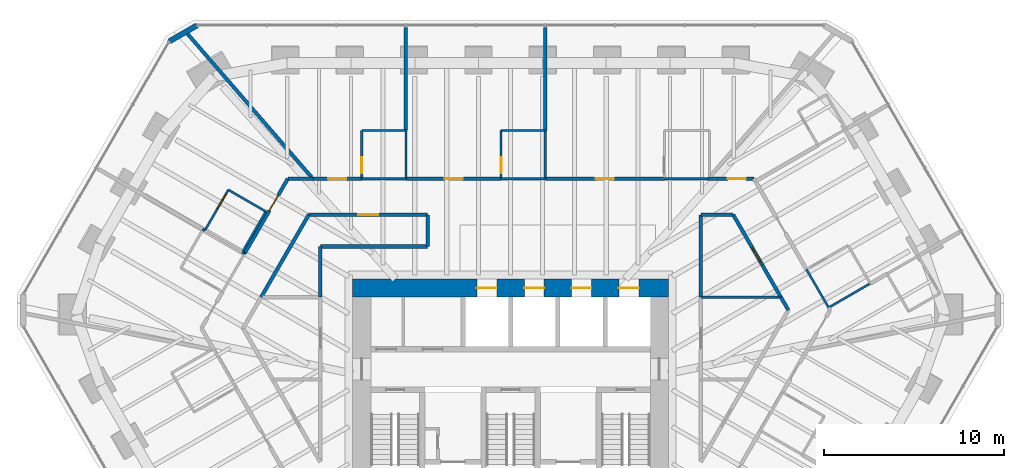
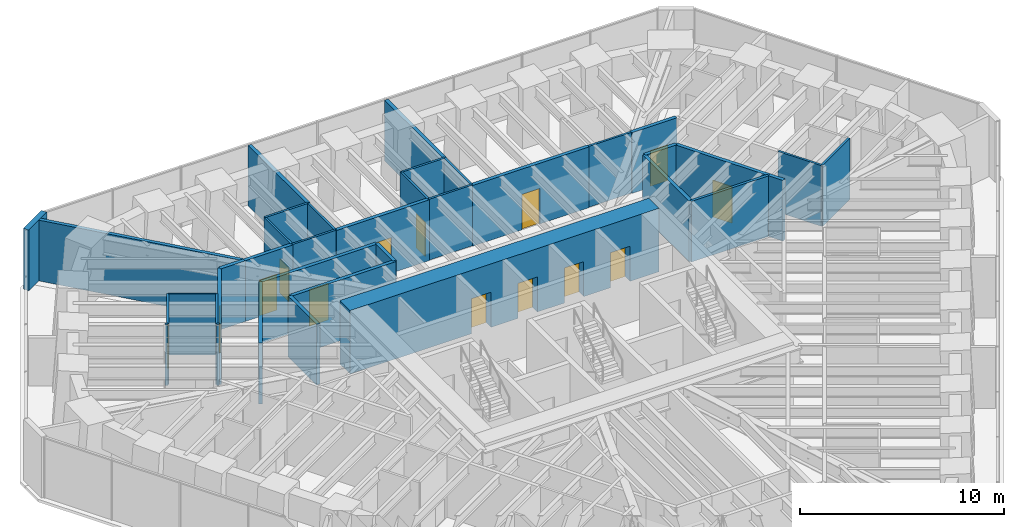
# One storey, part 14 of 16: 37 walls, 14 doors, 14 openings.
"""IFC4 building model written with IfcOpenShell, lengths in metres."""

from ifc_helpers import new_model, si_unit, direction, frame, frame_2d, origin, place, context, subcontext, project, spatial, rectangle, extrude, material, layer, layer_set, type_object, element, fill, save


model = new_model("IFC4")

# Units and contexts
model_context = context("Model", 3, precision=1e-05, world=origin(), true_north=direction((0.0, 1.0)))
body_context = subcontext(model_context, "Body", "Model", "MODEL_VIEW")
ifc_project = project(units=[si_unit("LENGTHUNIT", "METRE"), si_unit("AREAUNIT", "SQUARE_METRE"), si_unit("VOLUMEUNIT", "CUBIC_METRE"), si_unit("PLANEANGLEUNIT", "RADIAN"), si_unit("MASSUNIT", "GRAM", prefix="KILO")], contexts=[model_context])

# Site, building, storey
site_placement = place(None, origin())
site = spatial("IfcSite", under=ifc_project, at=site_placement, CompositionType="ELEMENT")
building_placement = place(site_placement, origin())
building = spatial("IfcBuilding", under=site, at=building_placement, Name="Sandreach Pilgrim Tower", CompositionType="ELEMENT")
storey_placement = place(building_placement, frame((0.0, 0.0, 244.0)))
storey = spatial("IfcBuildingStorey", under=building, at=storey_placement, Name="L61", CompositionType="ELEMENT", Elevation=244.0)

# Walls
ifc_material_1 = material(Name="Gypsum board on steel studs", Category="steel")
ifc_layer_1 = layer(ifc_material_1, 0.14990234375)
ifc_layer_set_1 = layer_set([ifc_layer_1], Name="Back of house wall 150")
wall_type_1 = type_object("IfcWallType", Name="Back of house wall 150", PredefinedType="PARTITIONING", material=ifc_layer_set_1)
wall_1_placement = place(storey_placement, frame((14.93505859375, 6.090087890625, 0.0), z_axis=(0.0, 0.0, 1.0), x_axis=(-1.0, 0.0, 0.0)))
element("IfcWall", 1, at=wall_1_placement, inside=storey, type_object=wall_type_1, Name="Back of house wall L61-119", PredefinedType="PARTITIONING", context=body_context, shape_type="SweptSolid", body=[
    extrude(rectangle(XDim=4.385009765625, YDim=0.14990234375, at=frame_2d((2.1923828125, 0.0))), origin(), (0.0, 0.0, 1.0), 3.639892578125),
])
ifc_material_2 = material(Name="Moisture-resistant gypsum board on steel studs", Category="steel")
ifc_layer_2 = layer(ifc_material_2, 0.1201171875)
ifc_layer_set_2 = layer_set([ifc_layer_2], Name="Bathroom partition 120")
wall_type_2 = type_object("IfcWallType", Name="Bathroom partition 120", PredefinedType="PARTITIONING", material=ifc_layer_set_2)
wall_2_placement = place(storey_placement, frame((-17.06005859375, 9.85009765625, 0.0), z_axis=(0.0, 0.0, 1.0), x_axis=(0.864625231999, -0.50241736454, 0.0)))
element("IfcWall", 2, at=wall_2_placement, inside=storey, type_object=wall_type_2, Name="Bathroom partition L61-010", PredefinedType="PARTITIONING", context=body_context, shape_type="SweptSolid", body=[
    extrude(rectangle(XDim=0.12548828125, YDim=0.1201171875, at=frame_2d((0.062744140625, 0.0))), origin(), (0.0, 0.0, 1.0), 3.639892578125),
])

# Wall, opening, door
wall_3_placement = place(storey_placement, frame((-15.64990234375, 12.0400390625, 0.0), z_axis=(0.0, 0.0, 1.0), x_axis=(-0.500291685314, -0.865856933682, 0.0)))
wall_3 = element("IfcWall", 3, at=wall_3_placement, inside=storey, type_object=wall_type_2, Name="Bathroom partition L61-014", PredefinedType="PARTITIONING", context=body_context, shape_type="SweptSolid", body=[
    extrude(rectangle(XDim=2.5986328125, YDim=0.1201171875, at=frame_2d((1.29931640625, 0.0))), origin(), (0.0, 0.0, 1.0), 3.639892578125),
])
opening_1_placement = place(wall_3_placement, frame((0.300048828125, 0.0, 0.0)))
opening_1 = element("IfcOpeningElement", 4, at=opening_1_placement, cuts=wall_3, Name="Opening D09-17B", PredefinedType="OPENING", context=body_context, shape_type="SweptSolid", body=[
    extrude(rectangle(XDim=0.89990234375, YDim=2.030029296875, at=frame_2d((0.449951171875, 1.01513671875))), frame((0.0, 0.06005859375, 0.0), z_axis=(0.0, -1.0, 0.0), x_axis=(1.0, 0.0, 0.0)), (0.0, 0.0, 1.0), 0.1201171875),
])
ifc_material_3 = material(Name="Timber door, steel frame", Category="steel")
door_type_1 = type_object("IfcDoorType", Name="Bathroom door", OperationType="SINGLE_SWING_LEFT", PredefinedType="DOOR", material=ifc_material_3)
door_1_placement = place(opening_1_placement, origin())
door_1 = element("IfcDoor", 5, at=door_1_placement, inside=storey, type_object=door_type_1, Name="Door 6117B", OperationType="SINGLE_SWING_LEFT", OverallHeight=2.030029296875, OverallWidth=0.89990234375, PredefinedType="DOOR", context=body_context, shape_type="SweptSolid", body=[
    extrude(rectangle(XDim=0.89990234375, YDim=2.030029296875, at=frame_2d((0.449951171875, 1.01513671875))), frame((0.0, 0.02490234375, 0.0), z_axis=(0.0, -1.0, 0.0), x_axis=(1.0, 0.0, 0.0)), (0.0, 0.0, 1.0), 0.050048828125),
])
fill(opening_1, door_1)

# Walls
wall_4_placement = place(storey_placement, frame((-14.87451171875, 8.582275390625, 0.0), z_axis=(0.0, 0.0, 1.0), x_axis=(0.864883951565, -0.501971862085, 0.0)))
element("IfcWall", 6, at=wall_4_placement, inside=storey, type_object=wall_type_2, Name="Bathroom partition L61-017", PredefinedType="PARTITIONING", context=body_context, shape_type="SweptSolid", body=[
    extrude(rectangle(XDim=0.14404296875, YDim=0.1201171875, at=frame_2d((0.072021484375, 0.0))), origin(), (0.0, 0.0, 1.0), 3.639892578125),
])
wall_5_placement = place(storey_placement, frame((-14.8701171875, 8.590087890625, 0.0), z_axis=(0.0, 0.0, 1.0), x_axis=(0.500291685314, 0.865856933682, 0.0)))
element("IfcWall", 7, at=wall_5_placement, inside=storey, type_object=wall_type_2, Name="Bathroom partition L61-018", PredefinedType="PARTITIONING", context=body_context, shape_type="SweptSolid", body=[
    extrude(rectangle(XDim=2.5986328125, YDim=0.1201171875, at=frame_2d((1.29931640625, 0.0))), origin(), (0.0, 0.0, 1.0), 3.639892578125),
])
wall_6_placement = place(storey_placement, frame((-13.570068359375, 10.840087890625, 0.0), z_axis=(0.0, 0.0, 1.0), x_axis=(-0.866177122335, 0.499737123639, 0.0)))
element("IfcWall", 8, at=wall_6_placement, inside=storey, type_object=wall_type_2, Name="Bathroom partition L61-026", PredefinedType="PARTITIONING", context=body_context, shape_type="SweptSolid", body=[
    extrude(rectangle(XDim=2.401123046875, YDim=0.1201171875, at=frame_2d((1.20068359375, 0.0))), origin(), (0.0, 0.0, 1.0), 3.639892578125),
])

# Wall, opening, door
wall_7_placement = place(storey_placement, frame((-8.25, 15.330078125, 0.0), z_axis=(0.0, 0.0, 1.0), x_axis=(0.0, -1.0, 0.0)))
wall_7 = element("IfcWall", 9, at=wall_7_placement, inside=storey, type_object=wall_type_2, Name="Bathroom partition L61-044", PredefinedType="PARTITIONING", context=body_context, shape_type="SweptSolid", body=[
    extrude(rectangle(XDim=2.670166015625, YDim=0.1201171875, at=frame_2d((1.3349609375, 0.0))), origin(), (0.0, 0.0, 1.0), 3.639892578125),
])
opening_2_placement = place(wall_7_placement, frame((1.469970703125, 0.0, 0.0)))
opening_2 = element("IfcOpeningElement", 10, at=opening_2_placement, cuts=wall_7, Name="Opening D09-01B", PredefinedType="OPENING", context=body_context, shape_type="SweptSolid", body=[
    extrude(rectangle(XDim=0.89990234375, YDim=2.030029296875, at=frame_2d((0.449951171875, 1.01513671875))), frame((0.0, 0.06005859375, 0.0), z_axis=(0.0, -1.0, 0.0), x_axis=(1.0, 0.0, 0.0)), (0.0, 0.0, 1.0), 0.1201171875),
])
door_2_placement = place(opening_2_placement, origin())
door_2 = element("IfcDoor", 11, at=door_2_placement, inside=storey, type_object=door_type_1, Name="Door 6101B", OperationType="SINGLE_SWING_RIGHT", OverallHeight=2.030029296875, OverallWidth=0.89990234375, PredefinedType="DOOR", context=body_context, shape_type="SweptSolid", body=[
    extrude(rectangle(XDim=0.89990234375, YDim=2.030029296875, at=frame_2d((0.449951171875, 1.01513671875))), frame((0.0, 0.02490234375, 0.0), z_axis=(0.0, -1.0, 0.0), x_axis=(1.0, 0.0, 0.0)), (0.0, 0.0, 1.0), 0.050048828125),
])
fill(opening_2, door_2)

# Walls
for number, where, z_axis, x_axis, name in (
    (12, (-5.800048828125, 12.659912109375, 0.0), (0.0, 0.0, 1.0), (-1.0, 0.0, 0.0), "Bathroom partition L61-049"),
    (13, (-5.800048828125, 15.330078125, 0.0), (0.0, 0.0, 1.0), (-1.0, 0.0, 0.0), "Bathroom partition L61-050"),
):
    element("IfcWall", number, at=place(storey_placement, frame(where, z_axis=z_axis, x_axis=x_axis)), inside=storey, type_object=wall_type_2, Name=name, PredefinedType="PARTITIONING", context=body_context, shape_type="SweptSolid", body=[
        extrude(rectangle(XDim=2.449951171875, YDim=0.1201171875, at=frame_2d((1.22509765625, 0.0))), origin(), (0.0, 0.0, 1.0), 3.639892578125),
    ])
wall_8_placement = place(storey_placement, frame((-5.800048828125, 15.330078125, 0.0), z_axis=(0.0, 0.0, 1.0), x_axis=(0.0, -1.0, 0.0)))
element("IfcWall", 14, at=wall_8_placement, inside=storey, type_object=wall_type_2, Name="Bathroom partition L61-051", PredefinedType="PARTITIONING", context=body_context, shape_type="SweptSolid", body=[
    extrude(rectangle(XDim=2.670166015625, YDim=0.1201171875, at=frame_2d((1.3349609375, 0.0))), origin(), (0.0, 0.0, 1.0), 3.639892578125),
])

# Wall, opening, door
wall_9_placement = place(storey_placement, frame((-0.52001953125, 15.330078125, 0.0), z_axis=(0.0, 0.0, 1.0), x_axis=(0.0, -1.0, 0.0)))
wall_9 = element("IfcWall", 15, at=wall_9_placement, inside=storey, type_object=wall_type_2, Name="Bathroom partition L61-072", PredefinedType="PARTITIONING", context=body_context, shape_type="SweptSolid", body=[
    extrude(rectangle(XDim=2.670166015625, YDim=0.1201171875, at=frame_2d((1.3349609375, 0.0))), origin(), (0.0, 0.0, 1.0), 3.639892578125),
])
opening_3_placement = place(wall_9_placement, frame((1.469970703125, 0.0, 0.0)))
opening_3 = element("IfcOpeningElement", 16, at=opening_3_placement, cuts=wall_9, Name="Opening D09-02B", PredefinedType="OPENING", context=body_context, shape_type="SweptSolid", body=[
    extrude(rectangle(XDim=0.89990234375, YDim=2.030029296875, at=frame_2d((0.449951171875, 1.01513671875))), frame((0.0, 0.06005859375, 0.0), z_axis=(0.0, -1.0, 0.0), x_axis=(1.0, 0.0, 0.0)), (0.0, 0.0, 1.0), 0.1201171875),
])
door_3_placement = place(opening_3_placement, origin())
door_3 = element("IfcDoor", 17, at=door_3_placement, inside=storey, type_object=door_type_1, Name="Door 6102B", OperationType="SINGLE_SWING_RIGHT", OverallHeight=2.030029296875, OverallWidth=0.89990234375, PredefinedType="DOOR", context=body_context, shape_type="SweptSolid", body=[
    extrude(rectangle(XDim=0.89990234375, YDim=2.030029296875, at=frame_2d((0.449951171875, 1.01513671875))), frame((0.0, 0.02490234375, 0.0), z_axis=(0.0, -1.0, 0.0), x_axis=(1.0, 0.0, 0.0)), (0.0, 0.0, 1.0), 0.050048828125),
])
fill(opening_3, door_3)

# Walls
for number, where, z_axis, x_axis, name in (
    (18, (1.929931640625, 12.659912109375, 0.0), (0.0, 0.0, 1.0), (-1.0, 0.0, 0.0), "Bathroom partition L61-075"),
    (19, (1.929931640625, 15.330078125, 0.0), (0.0, 0.0, 1.0), (-1.0, 0.0, 0.0), "Bathroom partition L61-076"),
):
    element("IfcWall", number, at=place(storey_placement, frame(where, z_axis=z_axis, x_axis=x_axis)), inside=storey, type_object=wall_type_2, Name=name, PredefinedType="PARTITIONING", context=body_context, shape_type="SweptSolid", body=[
        extrude(rectangle(XDim=2.449951171875, YDim=0.1201171875, at=frame_2d((1.22509765625, 0.0))), origin(), (0.0, 0.0, 1.0), 3.639892578125),
    ])
wall_10_placement = place(storey_placement, frame((1.929931640625, 15.330078125, 0.0), z_axis=(0.0, 0.0, 1.0), x_axis=(0.0, -1.0, 0.0)))
element("IfcWall", 20, at=wall_10_placement, inside=storey, type_object=wall_type_2, Name="Bathroom partition L61-077", PredefinedType="PARTITIONING", context=body_context, shape_type="SweptSolid", body=[
    extrude(rectangle(XDim=2.670166015625, YDim=0.1201171875, at=frame_2d((1.3349609375, 0.0))), origin(), (0.0, 0.0, 1.0), 3.639892578125),
])
wall_11_placement = place(storey_placement, frame((10.9599609375, 12.659912109375, 0.0), z_axis=(0.0, 0.0, 1.0), x_axis=(-1.0, 0.0, 0.0)))
element("IfcWall", 21, at=wall_11_placement, inside=storey, type_object=wall_type_2, Name="Bathroom partition L61-104", PredefinedType="PARTITIONING", context=body_context, shape_type="SweptSolid", body=[
    extrude(rectangle(XDim=2.429931640625, YDim=0.1201171875, at=frame_2d((1.21484375, 0.0))), origin(), (0.0, 0.0, 1.0), 3.639892578125),
])
wall_12_placement = place(storey_placement, frame((16.409912109375, 7.6298828125, 0.0), z_axis=(0.0, 0.0, 1.0), x_axis=(0.501856726365, -0.86495076519, 0.0)))
element("IfcWall", 22, at=wall_12_placement, inside=storey, type_object=wall_type_2, Name="Bathroom partition L61-127", PredefinedType="PARTITIONING", context=body_context, shape_type="SweptSolid", body=[
    extrude(rectangle(XDim=2.450927734375, YDim=0.1201171875, at=frame_2d((1.2255859375, 0.0))), origin(), (0.0, 0.0, 1.0), 3.639892578125),
])
wall_13_placement = place(storey_placement, frame((17.639892578125, 5.510009765625, 0.0), z_axis=(0.0, 0.0, 1.0), x_axis=(0.86498992408, 0.501789229896, 0.0)))
element("IfcWall", 23, at=wall_13_placement, inside=storey, type_object=wall_type_2, Name="Bathroom partition L61-132", PredefinedType="PARTITIONING", context=body_context, shape_type="SweptSolid", body=[
    extrude(rectangle(XDim=2.670654296875, YDim=0.1201171875, at=frame_2d((1.33544921875, 0.0))), origin(), (0.0, 0.0, 1.0), 3.639892578125),
])

# Wall, openings, doors
ifc_material_4 = material(Name="Concrete 10000 psi", Category="concrete")
ifc_layer_3 = layer(ifc_material_4, 1.0)
ifc_layer_set_3 = layer_set([ifc_layer_3], Name="Core wall 1000")
wall_type_3 = type_object("IfcWallType", Name="Core wall 1000", PredefinedType="SHEAR", material=ifc_layer_set_3)
wall_14_placement = place(storey_placement, frame((-8.75, 6.60009765625, 0.0), z_axis=(0.0, 0.0, 1.0), x_axis=(1.0, 0.0, 0.0)))
wall_14 = element("IfcWall", 24, at=wall_14_placement, inside=storey, type_object=wall_type_3, Name="Core wall N L61", PredefinedType="SHEAR", context=body_context, shape_type="SweptSolid", body=[
    extrude(rectangle(XDim=17.5, YDim=1.0, at=frame_2d((8.75, 0.0))), origin(), (0.0, 0.0, 1.0), 3.800048828125),
])
opening_4_placement = place(wall_14_placement, frame((6.887451171875, 0.0, 0.0)))
opening_4 = element("IfcOpeningElement", 25, at=opening_4_placement, cuts=wall_14, Name="Opening LD11", PredefinedType="OPENING", context=body_context, shape_type="SweptSolid", body=[
    extrude(rectangle(XDim=1.10009765625, YDim=2.10009765625, at=frame_2d((0.550048828125, 1.050048828125))), frame((0.0, 0.5, 0.0), z_axis=(0.0, -1.0, 0.0), x_axis=(1.0, 0.0, 0.0)), (0.0, 0.0, 1.0), 1.0),
])
opening_5_placement = place(wall_14_placement, frame((9.512451171875, 0.0, 0.0)))
opening_5 = element("IfcOpeningElement", 26, at=opening_5_placement, cuts=wall_14, Name="Opening LD11", PredefinedType="OPENING", context=body_context, shape_type="SweptSolid", body=[
    extrude(rectangle(XDim=1.10009765625, YDim=2.10009765625, at=frame_2d((0.550048828125, 1.050048828125))), frame((0.0, 0.5, 0.0), z_axis=(0.0, -1.0, 0.0), x_axis=(1.0, 0.0, 0.0)), (0.0, 0.0, 1.0), 1.0),
])
opening_6_placement = place(wall_14_placement, frame((12.137451171875, 0.0, 0.0)))
opening_6 = element("IfcOpeningElement", 27, at=opening_6_placement, cuts=wall_14, Name="Opening LD11", PredefinedType="OPENING", context=body_context, shape_type="SweptSolid", body=[
    extrude(rectangle(XDim=1.10009765625, YDim=2.10009765625, at=frame_2d((0.550048828125, 1.050048828125))), frame((0.0, 0.5, 0.0), z_axis=(0.0, -1.0, 0.0), x_axis=(1.0, 0.0, 0.0)), (0.0, 0.0, 1.0), 1.0),
])
opening_7_placement = place(wall_14_placement, frame((14.762451171875, 0.0, 0.0)))
opening_7 = element("IfcOpeningElement", 28, at=opening_7_placement, cuts=wall_14, Name="Opening LD11", PredefinedType="OPENING", context=body_context, shape_type="SweptSolid", body=[
    extrude(rectangle(XDim=1.10009765625, YDim=2.10009765625, at=frame_2d((0.550048828125, 1.050048828125))), frame((0.0, 0.5, 0.0), z_axis=(0.0, -1.0, 0.0), x_axis=(1.0, 0.0, 0.0)), (0.0, 0.0, 1.0), 1.0),
])
ifc_material_5 = material(Name="Steel door and frame", Category="steel")
door_type_2 = type_object("IfcDoorType", Name="Lift landing door", OperationType="DOUBLE_DOOR_SLIDING", PredefinedType="DOOR", material=ifc_material_5)
door_4_placement = place(opening_4_placement, origin())
door_4 = element("IfcDoor", 29, at=door_4_placement, inside=storey, type_object=door_type_2, Name="Lift landing door Z3A L61", OperationType="DOUBLE_DOOR_SLIDING", OverallHeight=2.10009765625, OverallWidth=1.10009765625, PredefinedType="DOOR", context=body_context, shape_type="SweptSolid", body=[
    extrude(rectangle(XDim=1.10009765625, YDim=2.10009765625, at=frame_2d((0.550048828125, 1.050048828125))), frame((0.0, 0.02490234375, 0.0), z_axis=(0.0, -1.0, 0.0), x_axis=(1.0, 0.0, 0.0)), (0.0, 0.0, 1.0), 0.050048828125),
])
fill(opening_4, door_4)
door_5_placement = place(opening_5_placement, origin())
door_5 = element("IfcDoor", 30, at=door_5_placement, inside=storey, type_object=door_type_2, Name="Lift landing door Z3B L61", OperationType="DOUBLE_DOOR_SLIDING", OverallHeight=2.10009765625, OverallWidth=1.10009765625, PredefinedType="DOOR", context=body_context, shape_type="SweptSolid", body=[
    extrude(rectangle(XDim=1.10009765625, YDim=2.10009765625, at=frame_2d((0.550048828125, 1.050048828125))), frame((0.0, 0.02490234375, 0.0), z_axis=(0.0, -1.0, 0.0), x_axis=(1.0, 0.0, 0.0)), (0.0, 0.0, 1.0), 0.050048828125),
])
fill(opening_5, door_5)
door_6_placement = place(opening_6_placement, origin())
door_6 = element("IfcDoor", 31, at=door_6_placement, inside=storey, type_object=door_type_2, Name="Lift landing door Z3C L61", OperationType="DOUBLE_DOOR_SLIDING", OverallHeight=2.10009765625, OverallWidth=1.10009765625, PredefinedType="DOOR", context=body_context, shape_type="SweptSolid", body=[
    extrude(rectangle(XDim=1.10009765625, YDim=2.10009765625, at=frame_2d((0.550048828125, 1.050048828125))), frame((0.0, 0.02490234375, 0.0), z_axis=(0.0, -1.0, 0.0), x_axis=(1.0, 0.0, 0.0)), (0.0, 0.0, 1.0), 0.050048828125),
])
fill(opening_6, door_6)
door_7_placement = place(opening_7_placement, origin())
door_7 = element("IfcDoor", 32, at=door_7_placement, inside=storey, type_object=door_type_2, Name="Lift landing door Z3D L61", OperationType="DOUBLE_DOOR_SLIDING", OverallHeight=2.10009765625, OverallWidth=1.10009765625, PredefinedType="DOOR", context=body_context, shape_type="SweptSolid", body=[
    extrude(rectangle(XDim=1.10009765625, YDim=2.10009765625, at=frame_2d((0.550048828125, 1.050048828125))), frame((0.0, 0.02490234375, 0.0), z_axis=(0.0, -1.0, 0.0), x_axis=(1.0, 0.0, 0.0)), (0.0, 0.0, 1.0), 0.050048828125),
])
fill(opening_7, door_7)

# Wall, opening, door
ifc_material_6 = material(Name="Gypsum board on steel studs, two layers each side", Category="steel")
ifc_layer_4 = layer(ifc_material_6, 0.199951171875)
ifc_layer_set_4 = layer_set([ifc_layer_4], Name="Corridor wall 200")
wall_type_4 = type_object("IfcWallType", Name="Corridor wall 200", PredefinedType="PARTITIONING", material=ifc_layer_set_4)
wall_15_placement = place(storey_placement, frame((-14.75, 8.510009765625, 0.0), z_axis=(0.0, 0.0, 1.0), x_axis=(0.500618647881, 0.86566793252, 0.0)))
wall_15 = element("IfcWall", 33, at=wall_15_placement, inside=storey, type_object=wall_type_4, Name="Corridor wall L61-020", PredefinedType="PARTITIONING", context=body_context, shape_type="SweptSolid", body=[
    extrude(rectangle(XDim=4.7939453125, YDim=0.199951171875, at=frame_2d((2.39697265625, 0.0))), origin(), (0.0, 0.0, 1.0), 3.639892578125),
])
opening_8_placement = place(wall_15_placement, frame((2.75, 0.0, 0.0)))
opening_8 = element("IfcOpeningElement", 34, at=opening_8_placement, cuts=wall_15, Name="Opening D10-17", PredefinedType="OPENING", context=body_context, shape_type="SweptSolid", body=[
    extrude(rectangle(XDim=1.0, YDim=2.1298828125, at=frame_2d((0.5, 1.06494140625))), frame((0.0, 0.10009765625, 0.0), z_axis=(0.0, -1.0, 0.0), x_axis=(1.0, 0.0, 0.0)), (0.0, 0.0, 1.0), 0.199951171875),
])
ifc_material_7 = material(Name="Steel door and frame", Category="steel")
door_type_3 = type_object("IfcDoorType", Name="Guest room entry door", OperationType="SINGLE_SWING_LEFT", PredefinedType="DOOR", material=ifc_material_7)
door_8_placement = place(opening_8_placement, origin())
door_8 = element("IfcDoor", 35, at=door_8_placement, inside=storey, type_object=door_type_3, Name="Door 6117", OperationType="SINGLE_SWING_RIGHT", OverallHeight=2.1298828125, OverallWidth=1.0, PredefinedType="DOOR", context=body_context, shape_type="SweptSolid", body=[
    extrude(rectangle(XDim=1.0, YDim=2.1298828125, at=frame_2d((0.5, 1.06494140625))), frame((0.0, 0.02490234375, 0.0), z_axis=(0.0, -1.0, 0.0), x_axis=(1.0, 0.0, 0.0)), (0.0, 0.0, 1.0), 0.050048828125),
])
fill(opening_8, door_8)

# Wall
wall_16_placement = place(storey_placement, frame((-13.830078125, 6.090087890625, 0.0), z_axis=(0.0, 0.0, 1.0), x_axis=(0.500248310865, 0.865881993967, 0.0)))
element("IfcWall", 36, at=wall_16_placement, inside=storey, type_object=wall_type_4, Name="Corridor wall L61-024", PredefinedType="PARTITIONING", context=body_context, shape_type="SweptSolid", body=[
    extrude(rectangle(XDim=5.277587890625, YDim=0.199951171875, at=frame_2d((2.638671875, 0.0))), origin(), (0.0, 0.0, 1.0), 3.639892578125),
])

# Wall, opening, door
wall_17_placement = place(storey_placement, frame((-11.18994140625, 10.659912109375, 0.0), z_axis=(0.0, 0.0, 1.0), x_axis=(1.0, 0.0, 0.0)))
wall_17 = element("IfcWall", 37, at=wall_17_placement, inside=storey, type_object=wall_type_4, Name="Corridor wall L61-030", PredefinedType="PARTITIONING", context=body_context, shape_type="SweptSolid", body=[
    extrude(rectangle(XDim=6.58984375, YDim=0.199951171875, at=frame_2d((3.294921875, 0.0))), origin(), (0.0, 0.0, 1.0), 3.639892578125),
])
opening_9_placement = place(wall_17_placement, frame((2.7451171875, 0.0, 0.0)))
opening_9 = element("IfcOpeningElement", 38, at=opening_9_placement, cuts=wall_17, Name="Opening D11H-M03", PredefinedType="OPENING", context=body_context, shape_type="SweptSolid", body=[
    extrude(rectangle(XDim=1.10009765625, YDim=2.199951171875, at=frame_2d((0.550048828125, 1.10009765625))), frame((0.0, 0.10009765625, 0.0), z_axis=(0.0, -1.0, 0.0), x_axis=(1.0, 0.0, 0.0)), (0.0, 0.0, 1.0), 0.199951171875),
])
ifc_material_8 = material(Name="Steel door and frame", Category="steel")
door_type_4 = type_object("IfcDoorType", Name="Back of house door", OperationType="SINGLE_SWING_LEFT", PredefinedType="DOOR", material=ifc_material_8)
door_9_placement = place(opening_9_placement, origin())
door_9 = element("IfcDoor", 39, at=door_9_placement, inside=storey, type_object=door_type_4, Name="Door 61M03", OperationType="SINGLE_SWING_LEFT", OverallHeight=2.199951171875, OverallWidth=1.10009765625, PredefinedType="DOOR", context=body_context, shape_type="SweptSolid", body=[
    extrude(rectangle(XDim=1.10009765625, YDim=2.199951171875, at=frame_2d((0.550048828125, 1.10009765625))), frame((0.0, 0.02490234375, 0.0), z_axis=(0.0, -1.0, 0.0), x_axis=(1.0, 0.0, 0.0)), (0.0, 0.0, 1.0), 0.050048828125),
])
fill(opening_9, door_9)

# Walls
wall_18_placement = place(storey_placement, frame((-10.9599609375, 12.659912109375, 0.0), z_axis=(0.0, 0.0, 1.0), x_axis=(-1.0, 0.0, 0.0)))
element("IfcWall", 40, at=wall_18_placement, inside=storey, type_object=wall_type_4, Name="Corridor wall L61-032", PredefinedType="PARTITIONING", context=body_context, shape_type="SweptSolid", body=[
    extrude(rectangle(XDim=1.39013671875, YDim=0.199951171875, at=frame_2d((0.695068359375, 0.0))), origin(), (0.0, 0.0, 1.0), 3.639892578125),
])
wall_19_placement = place(storey_placement, frame((-10.550048828125, 8.889892578125, 0.0), z_axis=(0.0, 0.0, 1.0), x_axis=(0.0, -1.0, 0.0)))
element("IfcWall", 41, at=wall_19_placement, inside=storey, type_object=wall_type_4, Name="Corridor wall L61-038", PredefinedType="PARTITIONING", context=body_context, shape_type="SweptSolid", body=[
    extrude(rectangle(XDim=2.7998046875, YDim=0.199951171875, at=frame_2d((1.39990234375, 0.0))), origin(), (0.0, 0.0, 1.0), 3.639892578125),
])

# Wall, opening, door
wall_20_placement = place(storey_placement, frame((-8.25, 12.659912109375, 0.0), z_axis=(0.0, 0.0, 1.0), x_axis=(-1.0, 0.0, 0.0)))
wall_20 = element("IfcWall", 42, at=wall_20_placement, inside=storey, type_object=wall_type_4, Name="Corridor wall L61-043", PredefinedType="PARTITIONING", context=body_context, shape_type="SweptSolid", body=[
    extrude(rectangle(XDim=2.7099609375, YDim=0.199951171875, at=frame_2d((1.35498046875, 0.0))), origin(), (0.0, 0.0, 1.0), 3.639892578125),
])
opening_10_placement = place(wall_20_placement, frame((0.85498046875, 0.0, 0.0)))
opening_10 = element("IfcOpeningElement", 43, at=opening_10_placement, cuts=wall_20, Name="Opening D10-01", PredefinedType="OPENING", context=body_context, shape_type="SweptSolid", body=[
    extrude(rectangle(XDim=1.0, YDim=2.1298828125, at=frame_2d((0.5, 1.06494140625))), frame((0.0, 0.10009765625, 0.0), z_axis=(0.0, -1.0, 0.0), x_axis=(1.0, 0.0, 0.0)), (0.0, 0.0, 1.0), 0.199951171875),
])
door_10_placement = place(opening_10_placement, origin())
door_10 = element("IfcDoor", 44, at=door_10_placement, inside=storey, type_object=door_type_3, Name="Door 6101", OperationType="SINGLE_SWING_LEFT", OverallHeight=2.1298828125, OverallWidth=1.0, PredefinedType="DOOR", context=body_context, shape_type="SweptSolid", body=[
    extrude(rectangle(XDim=1.0, YDim=2.1298828125, at=frame_2d((0.5, 1.06494140625))), frame((0.0, 0.02490234375, 0.0), z_axis=(0.0, -1.0, 0.0), x_axis=(1.0, 0.0, 0.0)), (0.0, 0.0, 1.0), 0.050048828125),
])
fill(opening_10, door_10)

# Walls
wall_21_placement = place(storey_placement, frame((-4.60009765625, 8.89990234375, 0.0), z_axis=(0.0, 0.0, 1.0), x_axis=(-1.0, 0.0, 0.0)))
element("IfcWall", 45, at=wall_21_placement, inside=storey, type_object=wall_type_4, Name="Corridor wall L61-054", PredefinedType="PARTITIONING", context=body_context, shape_type="SweptSolid", body=[
    extrude(rectangle(XDim=5.949951171875, YDim=0.199951171875, at=frame_2d((2.97509765625, 0.0))), origin(), (0.0, 0.0, 1.0), 3.639892578125),
])
wall_22_placement = place(storey_placement, frame((-4.60009765625, 10.64990234375, 0.0), z_axis=(0.0, 0.0, 1.0), x_axis=(0.0, -1.0, 0.0)))
element("IfcWall", 46, at=wall_22_placement, inside=storey, type_object=wall_type_4, Name="Corridor wall L61-055", PredefinedType="PARTITIONING", context=body_context, shape_type="SweptSolid", body=[
    extrude(rectangle(XDim=1.739990234375, YDim=0.199951171875, at=frame_2d((0.8701171875, 0.0))), origin(), (0.0, 0.0, 1.0), 3.639892578125),
])

# Wall, opening, door
wall_23_placement = place(storey_placement, frame((-0.52001953125, 12.659912109375, 0.0), z_axis=(0.0, 0.0, 1.0), x_axis=(-1.0, 0.0, 0.0)))
wall_23 = element("IfcWall", 47, at=wall_23_placement, inside=storey, type_object=wall_type_4, Name="Corridor wall L61-071", PredefinedType="PARTITIONING", context=body_context, shape_type="SweptSolid", body=[
    extrude(rectangle(XDim=5.280029296875, YDim=0.199951171875, at=frame_2d((2.64013671875, 0.0))), origin(), (0.0, 0.0, 1.0), 3.639892578125),
])
opening_11_placement = place(wall_23_placement, frame((2.139892578125, 0.0, 0.0)))
opening_11 = element("IfcOpeningElement", 48, at=opening_11_placement, cuts=wall_23, Name="Opening D10-02", PredefinedType="OPENING", context=body_context, shape_type="SweptSolid", body=[
    extrude(rectangle(XDim=1.0, YDim=2.1298828125, at=frame_2d((0.5, 1.06494140625))), frame((0.0, 0.10009765625, 0.0), z_axis=(0.0, -1.0, 0.0), x_axis=(1.0, 0.0, 0.0)), (0.0, 0.0, 1.0), 0.199951171875),
])
door_11_placement = place(opening_11_placement, origin())
door_11 = element("IfcDoor", 49, at=door_11_placement, inside=storey, type_object=door_type_3, Name="Door 6102", OperationType="SINGLE_SWING_LEFT", OverallHeight=2.1298828125, OverallWidth=1.0, PredefinedType="DOOR", context=body_context, shape_type="SweptSolid", body=[
    extrude(rectangle(XDim=1.0, YDim=2.1298828125, at=frame_2d((0.5, 1.06494140625))), frame((0.0, 0.02490234375, 0.0), z_axis=(0.0, -1.0, 0.0), x_axis=(1.0, 0.0, 0.0)), (0.0, 0.0, 1.0), 0.050048828125),
])
fill(opening_11, door_11)

wall_24_placement = place(storey_placement, frame((8.530029296875, 12.659912109375, 0.0), z_axis=(0.0, 0.0, 1.0), x_axis=(-1.0, 0.0, 0.0)))
wall_24 = element("IfcWall", 50, at=wall_24_placement, inside=storey, type_object=wall_type_4, Name="Corridor wall L61-094", PredefinedType="PARTITIONING", context=body_context, shape_type="SweptSolid", body=[
    extrude(rectangle(XDim=6.60009765625, YDim=0.199951171875, at=frame_2d((3.300048828125, 0.0))), origin(), (0.0, 0.0, 1.0), 3.639892578125),
])
opening_12_placement = place(wall_24_placement, frame((2.800048828125, 0.0, 0.0)))
opening_12 = element("IfcOpeningElement", 51, at=opening_12_placement, cuts=wall_24, Name="Opening D10-03", PredefinedType="OPENING", context=body_context, shape_type="SweptSolid", body=[
    extrude(rectangle(XDim=1.0, YDim=2.1298828125, at=frame_2d((0.5, 1.06494140625))), frame((0.0, 0.10009765625, 0.0), z_axis=(0.0, -1.0, 0.0), x_axis=(1.0, 0.0, 0.0)), (0.0, 0.0, 1.0), 0.199951171875),
])
door_12_placement = place(opening_12_placement, origin())
door_12 = element("IfcDoor", 52, at=door_12_placement, inside=storey, type_object=door_type_3, Name="Door 6103", OperationType="SINGLE_SWING_LEFT", OverallHeight=2.1298828125, OverallWidth=1.0, PredefinedType="DOOR", context=body_context, shape_type="SweptSolid", body=[
    extrude(rectangle(XDim=1.0, YDim=2.1298828125, at=frame_2d((0.5, 1.06494140625))), frame((0.0, 0.02490234375, 0.0), z_axis=(0.0, -1.0, 0.0), x_axis=(1.0, 0.0, 0.0)), (0.0, 0.0, 1.0), 0.050048828125),
])
fill(opening_12, door_12)

# Walls
wall_25_placement = place(storey_placement, frame((10.550048828125, 6.090087890625, 0.0), z_axis=(0.0, 0.0, 1.0), x_axis=(0.0, 1.0, 0.0)))
element("IfcWall", 53, at=wall_25_placement, inside=storey, type_object=wall_type_4, Name="Corridor wall L61-102", PredefinedType="PARTITIONING", context=body_context, shape_type="SweptSolid", body=[
    extrude(rectangle(XDim=4.56982421875, YDim=0.199951171875, at=frame_2d((2.284912109375, 0.0))), origin(), (0.0, 0.0, 1.0), 3.639892578125),
])
wall_26_placement = place(storey_placement, frame((10.56005859375, 10.659912109375, 0.0), z_axis=(0.0, 0.0, 1.0), x_axis=(1.0, 0.0, 0.0)))
element("IfcWall", 54, at=wall_26_placement, inside=storey, type_object=wall_type_4, Name="Corridor wall L61-103", PredefinedType="PARTITIONING", context=body_context, shape_type="SweptSolid", body=[
    extrude(rectangle(XDim=1.7900390625, YDim=0.199951171875, at=frame_2d((0.89501953125, 0.0))), origin(), (0.0, 0.0, 1.0), 3.639892578125),
])

# Wall, opening, door
wall_27_placement = place(storey_placement, frame((12.35009765625, 10.659912109375, 0.0), z_axis=(0.0, 0.0, 1.0), x_axis=(0.500213626659, -0.86590203124, 0.0)))
wall_27 = element("IfcWall", 55, at=wall_27_placement, inside=storey, type_object=wall_type_4, Name="Corridor wall L61-111", PredefinedType="PARTITIONING", context=body_context, shape_type="SweptSolid", body=[
    extrude(rectangle(XDim=5.277587890625, YDim=0.199951171875, at=frame_2d((2.638671875, 0.0))), origin(), (0.0, 0.0, 1.0), 3.639892578125),
])
opening_13_placement = place(wall_27_placement, frame((2.0888671875, 0.0, 0.0)))
opening_13 = element("IfcOpeningElement", 56, at=opening_13_placement, cuts=wall_27, Name="Opening D11H-M05", PredefinedType="OPENING", context=body_context, shape_type="SweptSolid", body=[
    extrude(rectangle(XDim=1.10009765625, YDim=2.199951171875, at=frame_2d((0.550048828125, 1.10009765625))), frame((0.0, 0.10009765625, 0.0), z_axis=(0.0, -1.0, 0.0), x_axis=(1.0, 0.0, 0.0)), (0.0, 0.0, 1.0), 0.199951171875),
])
door_13_placement = place(opening_13_placement, origin())
door_13 = element("IfcDoor", 57, at=door_13_placement, inside=storey, type_object=door_type_4, Name="Door 61M05", OperationType="SINGLE_SWING_LEFT", OverallHeight=2.199951171875, OverallWidth=1.10009765625, PredefinedType="DOOR", context=body_context, shape_type="SweptSolid", body=[
    extrude(rectangle(XDim=1.10009765625, YDim=2.199951171875, at=frame_2d((0.550048828125, 1.10009765625))), frame((0.0, 0.02490234375, 0.0), z_axis=(0.0, -1.0, 0.0), x_axis=(1.0, 0.0, 0.0)), (0.0, 0.0, 1.0), 0.050048828125),
])
fill(opening_13, door_13)

wall_28_placement = place(storey_placement, frame((13.5, 12.659912109375, 0.0), z_axis=(0.0, 0.0, 1.0), x_axis=(-1.0, 0.0, 0.0)))
wall_28 = element("IfcWall", 58, at=wall_28_placement, inside=storey, type_object=wall_type_4, Name="Corridor wall L61-114", PredefinedType="PARTITIONING", context=body_context, shape_type="SweptSolid", body=[
    extrude(rectangle(XDim=2.5400390625, YDim=0.199951171875, at=frame_2d((1.27001953125, 0.0))), origin(), (0.0, 0.0, 1.0), 3.639892578125),
])
opening_14_placement = place(wall_28_placement, frame((0.449951171875, 0.0, 0.0)))
opening_14 = element("IfcOpeningElement", 59, at=opening_14_placement, cuts=wall_28, Name="Opening D10-04", PredefinedType="OPENING", context=body_context, shape_type="SweptSolid", body=[
    extrude(rectangle(XDim=1.0, YDim=2.1298828125, at=frame_2d((0.5, 1.06494140625))), frame((0.0, 0.10009765625, 0.0), z_axis=(0.0, -1.0, 0.0), x_axis=(1.0, 0.0, 0.0)), (0.0, 0.0, 1.0), 0.199951171875),
])
door_14_placement = place(opening_14_placement, origin())
door_14 = element("IfcDoor", 60, at=door_14_placement, inside=storey, type_object=door_type_3, Name="Door 6104", OperationType="SINGLE_SWING_LEFT", OverallHeight=2.1298828125, OverallWidth=1.0, PredefinedType="DOOR", context=body_context, shape_type="SweptSolid", body=[
    extrude(rectangle(XDim=1.0, YDim=2.1298828125, at=frame_2d((0.5, 1.06494140625))), frame((0.0, 0.02490234375, 0.0), z_axis=(0.0, -1.0, 0.0), x_axis=(1.0, 0.0, 0.0)), (0.0, 0.0, 1.0), 0.050048828125),
])
fill(opening_14, door_14)

# Walls
wall_29_placement = place(storey_placement, frame((14.989990234375, 6.090087890625, 0.0), z_axis=(0.0, 0.0, 1.0), x_axis=(0.503816387241, -0.863810770914, 0.0)))
element("IfcWall", 61, at=wall_29_placement, inside=storey, type_object=wall_type_4, Name="Corridor wall L61-120", PredefinedType="PARTITIONING", context=body_context, shape_type="SweptSolid", body=[
    extrude(rectangle(XDim=0.83349609375, YDim=0.199951171875, at=frame_2d((0.416748046875, 0.0))), origin(), (0.0, 0.0, 1.0), 3.639892578125),
])
ifc_material_9 = material(Name="Double steel stud acoustic wall, gypsum board", Category="steel")
ifc_layer_5 = layer(ifc_material_9, 0.199951171875)
ifc_layer_set_5 = layer_set([ifc_layer_5], Name="Party wall 200")
wall_type_5 = type_object("IfcWallType", Name="Party wall 200", PredefinedType="PARTITIONING", material=ifc_layer_set_5)
wall_30_placement = place(storey_placement, frame((-11.02880859375, 12.739501953125, 0.0), z_axis=(0.0, 0.0, 1.0), x_axis=(-0.654429261747, 0.756123231603, 0.0)))
element("IfcWall", 62, at=wall_30_placement, inside=storey, type_object=wall_type_5, Name="Party wall L61-031", PredefinedType="PARTITIONING", context=body_context, shape_type="SweptSolid", body=[
    extrude(rectangle(XDim=10.683349609375, YDim=0.199951171875, at=frame_2d((5.341796875, 0.0))), origin(), (0.0, 0.0, 1.0), 3.639892578125),
])
for number, where, z_axis, x_axis, name in (
    (63, (-5.800048828125, 21.0400390625, 0.0), (0.0, 0.0, 1.0), (0.0, -1.0, 0.0), "Party wall L61-052"),
    (64, (1.929931640625, 21.0400390625, 0.0), (0.0, 0.0, 1.0), (0.0, -1.0, 0.0), "Party wall L61-078"),
):
    element("IfcWall", number, at=place(storey_placement, frame(where, z_axis=z_axis, x_axis=x_axis)), inside=storey, type_object=wall_type_5, Name=name, PredefinedType="PARTITIONING", context=body_context, shape_type="SweptSolid", body=[
        extrude(rectangle(XDim=5.7099609375, YDim=0.199951171875, at=frame_2d((2.85498046875, 0.0))), origin(), (0.0, 0.0, 1.0), 3.639892578125),
    ])
ifc_material_10 = material(Name="Terracotta rainscreen on concrete", Category="masonry")
ifc_layer_6 = layer(ifc_material_10, 0.300048828125)
ifc_layer_set_6 = layer_set([ifc_layer_6], Name="Terracotta chamfer pier")
wall_type_6 = type_object("IfcWallType", Name="Terracotta chamfer pier", PredefinedType="SOLIDWALL", material=ifc_layer_set_6)
wall_31_placement = place(storey_placement, frame((-18.9228515625, 20.275146484375, 0.0), z_axis=(0.0, 0.0, 1.0), x_axis=(0.866036293601, 0.499981137809, 0.0)))
element("IfcWall", 65, at=wall_31_placement, inside=storey, type_object=wall_type_6, Name="Chamfer pier L61 NW", PredefinedType="SOLIDWALL", context=body_context, shape_type="SweptSolid", body=[
    extrude(rectangle(XDim=1.77001953125, YDim=0.300048828125, at=frame_2d((0.885009765625, 0.0))), origin(), (0.0, 0.0, 1.0), 3.639892578125),
])

save(model, "model.ifc")
